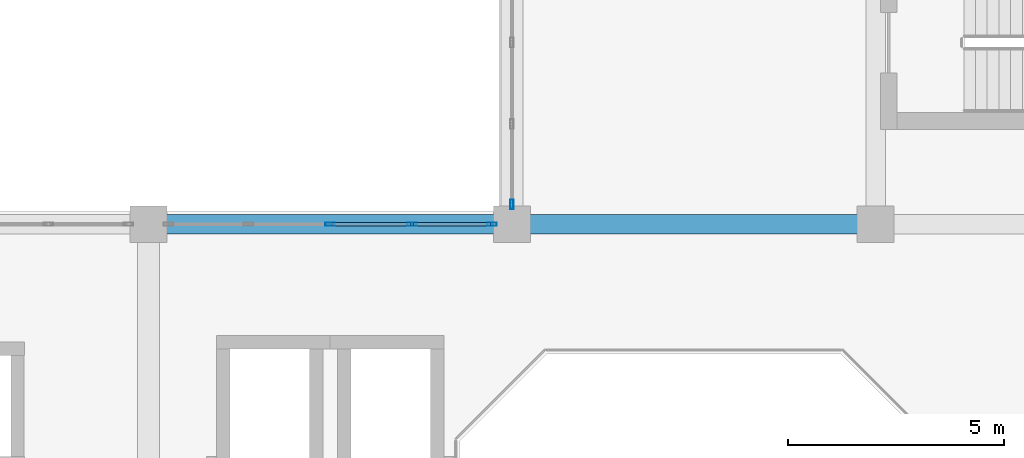
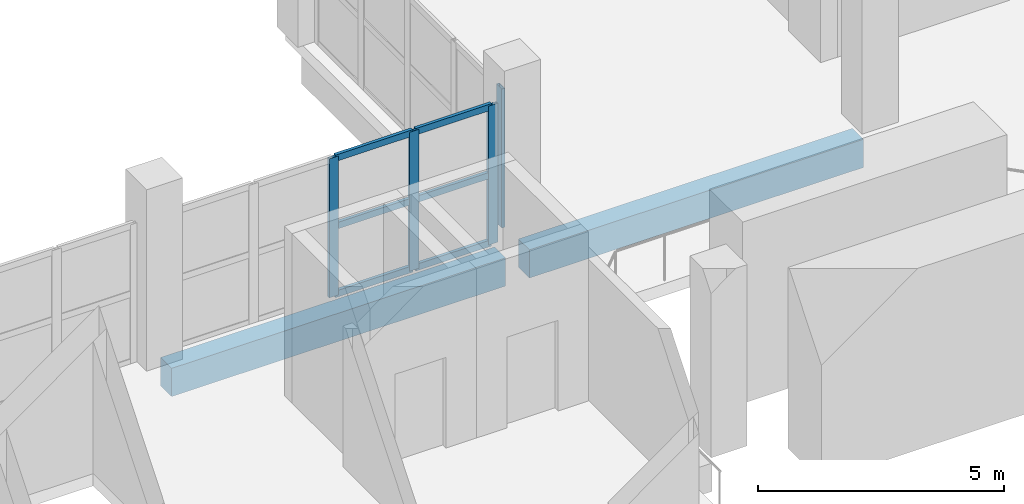
# One storey, part 57 of 137: 10 members, 2 beams, 2 elements without a shape of their own.
"""IFC4 building model written with IfcOpenShell, lengths in metres."""

from ifc_helpers import new_model, si_unit, direction, frame, origin, origin_2d, place, context, subcontext, project, spatial, rectangle, hollow_rectangle, extrude, material, layer, layer_set, material_profile, profile_set, type_object, element, aggregate, save


model = new_model("IFC4")

# Units and contexts
model_context = context("Model", 3, precision=1e-05, world=origin(), true_north=direction((0.0, 1.0)))
body_context = subcontext(model_context, "Body", "Model", "MODEL_VIEW")
ifc_project = project(units=[si_unit("LENGTHUNIT", "METRE"), si_unit("AREAUNIT", "SQUARE_METRE"), si_unit("VOLUMEUNIT", "CUBIC_METRE"), si_unit("PLANEANGLEUNIT", "RADIAN"), si_unit("MASSUNIT", "GRAM", prefix="KILO")], contexts=[model_context])

# Site, building, storey
site_placement = place(None, origin())
site = spatial("IfcSite", under=ifc_project, at=site_placement, CompositionType="ELEMENT")
building_placement = place(site_placement, origin())
building = spatial("IfcBuilding", under=site, at=building_placement, Name="Xazarin Passage Department Store", CompositionType="ELEMENT")
storey_placement = place(building_placement, frame((0.0, 0.0, 5.39990234375)))
storey = spatial("IfcBuildingStorey", under=building, at=storey_placement, Name="L01", CompositionType="ELEMENT", Elevation=5.39990234375)

# Curtain wall, members
ifc_material_1 = material(Name="Bronze anodised aluminium", Category="aluminium")
ifc_layer = layer(ifc_material_1, 0.179931640625)
ifc_layer_set = layer_set([ifc_layer], Name="Bronze anodised aluminium")
curtain_wall_type = type_object("IfcCurtainWallType", Name="ARC-CW-VIT1", PredefinedType="NOTDEFINED", material=ifc_layer_set)
curtain_wall_1_placement = place(storey_placement, origin())
curtain_wall_1 = element("IfcCurtainWall", 1, at=curtain_wall_1_placement, inside=storey, type_object=curtain_wall_type, Name="L01 V1 Curtain Wall 013", PredefinedType="NOTDEFINED")
ifc_material_profile_1 = material_profile(ifc_material_1, hollow_rectangle(XDim=0.074951171875, YDim=0.219970703125, WallThickness=0.0048828125, at=origin_2d()), Name="ALU 75x220")
ifc_profile_set_1 = profile_set([ifc_material_profile_1], Name="Bronze anodised aluminium")
member_type_1 = type_object("IfcMemberType", Name="ARC-CWM-75x220", PredefinedType="MULLION", material=ifc_profile_set_1)
member_1_placement = place(storey_placement, frame((12.60009765625, 101.60009765625, 0.0), z_axis=(0.0, 0.0, 1.0), x_axis=(0.0, 1.0, 0.0)))
member_1 = element("IfcMember", 2, at=member_1_placement, type_object=member_type_1, Name="CW1 mullion 3", PredefinedType="MULLION", context=body_context, shape_type="SweptSolid", body=[
    extrude(hollow_rectangle(XDim=0.074951171875, YDim=0.219970703125, WallThickness=0.0048828125, at=origin_2d()), origin(), (0.0, 0.0, 1.0), 3.4501953125),
])
member_2_placement = place(storey_placement, frame((14.487548828125, 101.60009765625, 0.0), z_axis=(0.0, 0.0, 1.0), x_axis=(0.0, 1.0, 0.0)))
member_2 = element("IfcMember", 3, at=member_2_placement, type_object=member_type_1, Name="CW1 mullion 4", PredefinedType="MULLION", context=body_context, shape_type="SweptSolid", body=[
    extrude(hollow_rectangle(XDim=0.074951171875, YDim=0.219970703125, WallThickness=0.0048828125, at=origin_2d()), origin(), (0.0, 0.0, 1.0), 3.4501953125),
])
member_3_placement = place(storey_placement, frame((16.33740234375, 101.60009765625, 0.0), z_axis=(0.0, 0.0, 1.0), x_axis=(0.0, 1.0, 0.0)))
member_3 = element("IfcMember", 4, at=member_3_placement, type_object=member_type_1, Name="CW1 mullion 5", PredefinedType="MULLION", context=body_context, shape_type="SweptSolid", body=[
    extrude(hollow_rectangle(XDim=0.074951171875, YDim=0.219970703125, WallThickness=0.0048828125, at=origin_2d()), origin(), (0.0, 0.0, 1.0), 3.4501953125),
])

# Curtain wall, member
curtain_wall_2_placement = place(storey_placement, origin())
curtain_wall_2 = element("IfcCurtainWall", 5, at=curtain_wall_2_placement, inside=storey, type_object=curtain_wall_type, Name="L01 V1 Curtain Wall 024", PredefinedType="NOTDEFINED")
member_4_placement = place(storey_placement, frame((16.800048828125, 102.0625, 0.0), z_axis=(0.0, 0.0, 1.0), x_axis=(-1.0, 0.0, 0.0)))
member_4 = element("IfcMember", 6, at=member_4_placement, type_object=member_type_1, Name="CW1 mullion 1", PredefinedType="MULLION", context=body_context, shape_type="SweptSolid", body=[
    extrude(hollow_rectangle(XDim=0.074951171875, YDim=0.219970703125, WallThickness=0.0048828125, at=origin_2d()), origin(), (0.0, 0.0, 1.0), 3.4501953125),
])
aggregate(curtain_wall_2, [member_4])

# Member
ifc_material_profile_2 = material_profile(ifc_material_1, hollow_rectangle(XDim=0.074951171875, YDim=0.159912109375, WallThickness=0.00439453125, at=origin_2d()), Name="ALU 75x160")
ifc_profile_set_2 = profile_set([ifc_material_profile_2], Name="Bronze anodised aluminium")
member_type_2 = type_object("IfcMemberType", Name="ARC-CWT-75x160", PredefinedType="USERDEFINED", material=ifc_profile_set_2)
member_5_placement = place(storey_placement, frame((12.637451171875, 101.60009765625, 0.03759765625), z_axis=(1.0, 0.0, 0.0), x_axis=(0.0, 1.0, 0.0)))
member_5 = element("IfcMember", 7, at=member_5_placement, type_object=member_type_2, Name="CW1 transom 3.1", ObjectType="TRANSOM", PredefinedType="USERDEFINED", context=body_context, shape_type="SweptSolid", body=[
    extrude(hollow_rectangle(XDim=0.074951171875, YDim=0.159912109375, WallThickness=0.00439453125, at=origin_2d()), origin(), (0.0, 0.0, 1.0), 1.8125),
])

member_6_placement = place(storey_placement, frame((12.637451171875, 101.60009765625, 1.72509765625), z_axis=(1.0, 0.0, 0.0), x_axis=(0.0, 1.0, 0.0)))
member_6 = element("IfcMember", 8, at=member_6_placement, type_object=member_type_2, Name="CW1 transom 3.2", ObjectType="TRANSOM", PredefinedType="USERDEFINED", context=body_context, shape_type="SweptSolid", body=[
    extrude(hollow_rectangle(XDim=0.074951171875, YDim=0.159912109375, WallThickness=0.00439453125, at=origin_2d()), origin(), (0.0, 0.0, 1.0), 1.8125),
])

member_7_placement = place(storey_placement, frame((12.637451171875, 101.60009765625, 3.41259765625), z_axis=(1.0, 0.0, 0.0), x_axis=(0.0, 1.0, 0.0)))
member_7 = element("IfcMember", 9, at=member_7_placement, type_object=member_type_2, Name="CW1 transom 3.3", ObjectType="TRANSOM", PredefinedType="USERDEFINED", context=body_context, shape_type="SweptSolid", body=[
    extrude(hollow_rectangle(XDim=0.074951171875, YDim=0.159912109375, WallThickness=0.00439453125, at=origin_2d()), origin(), (0.0, 0.0, 1.0), 1.8125),
])

member_8_placement = place(storey_placement, frame((14.52490234375, 101.60009765625, 0.03759765625), z_axis=(1.0, 0.0, 0.0), x_axis=(0.0, 1.0, 0.0)))
member_8 = element("IfcMember", 10, at=member_8_placement, type_object=member_type_2, Name="CW1 transom 4.1", ObjectType="TRANSOM", PredefinedType="USERDEFINED", context=body_context, shape_type="SweptSolid", body=[
    extrude(hollow_rectangle(XDim=0.074951171875, YDim=0.159912109375, WallThickness=0.00439453125, at=origin_2d()), origin(), (0.0, 0.0, 1.0), 1.775146484375),
])

member_9_placement = place(storey_placement, frame((14.52490234375, 101.60009765625, 1.72509765625), z_axis=(1.0, 0.0, 0.0), x_axis=(0.0, 1.0, 0.0)))
member_9 = element("IfcMember", 11, at=member_9_placement, type_object=member_type_2, Name="CW1 transom 4.2", ObjectType="TRANSOM", PredefinedType="USERDEFINED", context=body_context, shape_type="SweptSolid", body=[
    extrude(hollow_rectangle(XDim=0.074951171875, YDim=0.159912109375, WallThickness=0.00439453125, at=origin_2d()), origin(), (0.0, 0.0, 1.0), 1.775146484375),
])

member_10_placement = place(storey_placement, frame((14.52490234375, 101.60009765625, 3.41259765625), z_axis=(1.0, 0.0, 0.0), x_axis=(0.0, 1.0, 0.0)))
member_10 = element("IfcMember", 12, at=member_10_placement, type_object=member_type_2, Name="CW1 transom 4.3", ObjectType="TRANSOM", PredefinedType="USERDEFINED", context=body_context, shape_type="SweptSolid", body=[
    extrude(hollow_rectangle(XDim=0.074951171875, YDim=0.159912109375, WallThickness=0.00439453125, at=origin_2d()), origin(), (0.0, 0.0, 1.0), 1.775146484375),
])

aggregate(curtain_wall_1, [member_1, member_2, member_3, member_5, member_6, member_7, member_8, member_9, member_10])

# Beams
ifc_material_2 = material(Name="Concrete C35/45", Category="concrete")
ifc_material_profile_3 = material_profile(ifc_material_2, rectangle(XDim=0.449951171875, YDim=0.699951171875, at=origin_2d()), Name="RC 450x700")
ifc_profile_set_3 = profile_set([ifc_material_profile_3], Name="Concrete C35/45")
beam_type = type_object("IfcBeamType", Name="STR-BM-G450x700", PredefinedType="BEAM", material=ifc_profile_set_3)
beam_1_placement = place(storey_placement, frame((8.679931640625, 101.60009765625, -0.64990234375), z_axis=(1.0, 0.0, 0.0), x_axis=(0.0, 1.0, 0.0)))
element("IfcBeam", 13, at=beam_1_placement, inside=storey, type_object=beam_type, Name="L01 Grid Beam P/2-3", PredefinedType="BEAM", context=body_context, shape_type="SweptSolid", body=[
    extrude(rectangle(XDim=0.449951171875, YDim=0.699951171875, at=origin_2d()), origin(), (0.0, 0.0, 1.0), 7.840087890625),
])
beam_2_placement = place(storey_placement, frame((17.080078125, 101.60009765625, -0.64990234375), z_axis=(1.0, 0.0, 0.0), x_axis=(0.0, 1.0, 0.0)))
element("IfcBeam", 14, at=beam_2_placement, inside=storey, type_object=beam_type, Name="L01 Grid Beam P/3-4", PredefinedType="BEAM", context=body_context, shape_type="SweptSolid", body=[
    extrude(rectangle(XDim=0.449951171875, YDim=0.699951171875, at=origin_2d()), origin(), (0.0, 0.0, 1.0), 7.83984375),
])

save(model, "model.ifc")
